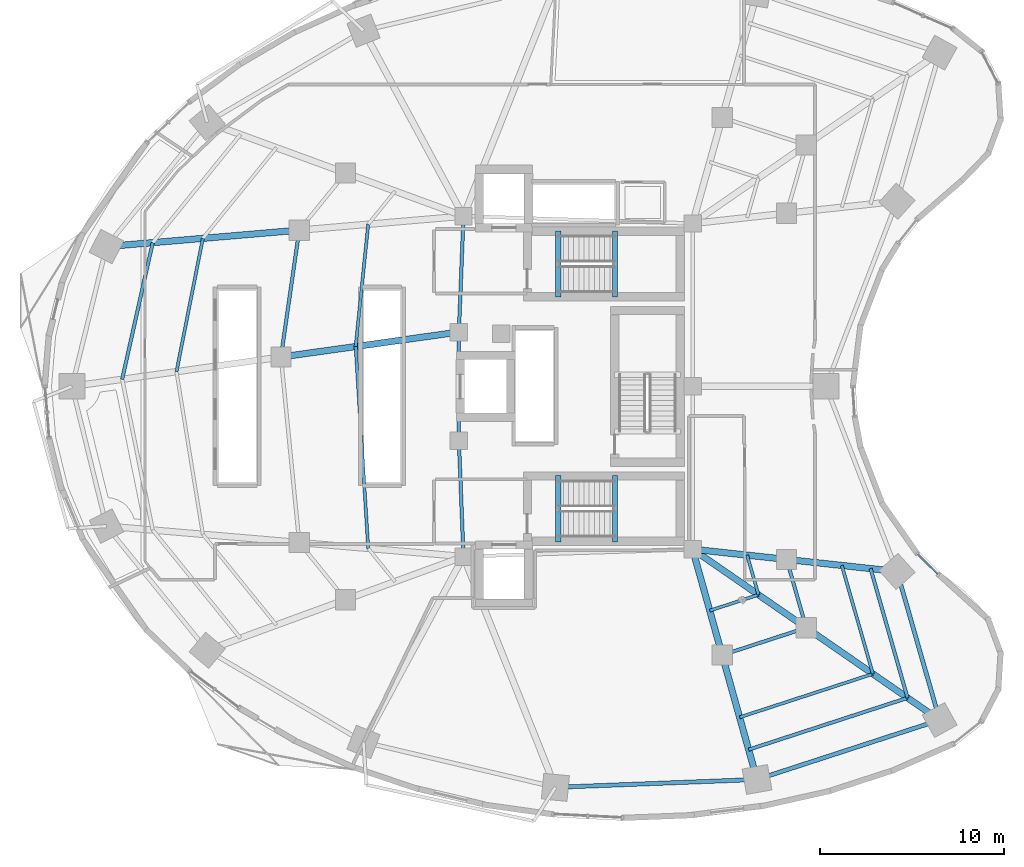
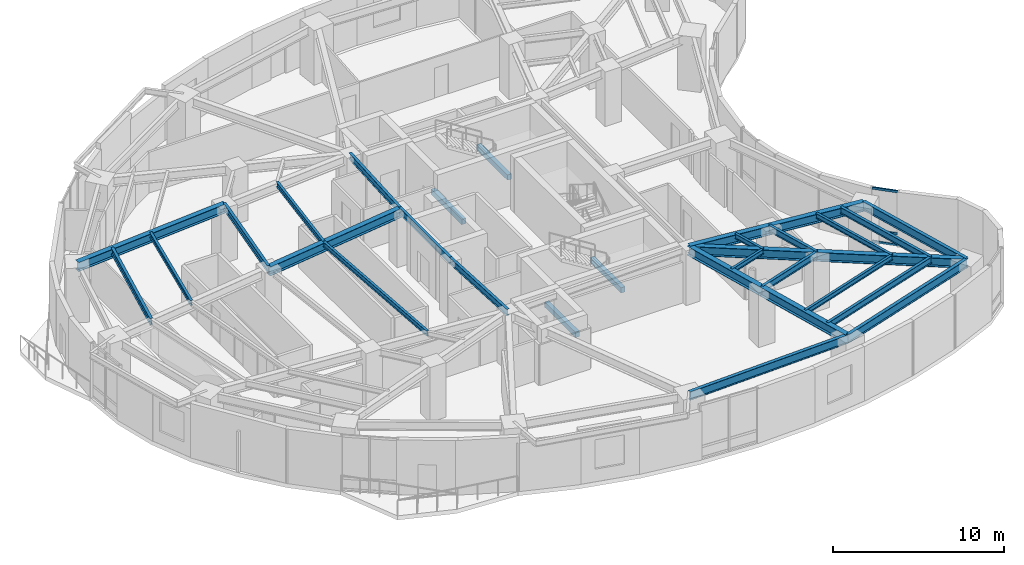
# One storey, part 3 of 13: 31 beams, 3 members, 1 element without a shape of its own.
"""IFC4 building model written with IfcOpenShell, lengths in metres."""

from ifc_helpers import new_model, si_unit, direction, frame, origin, origin_2d, place, context, subcontext, project, spatial, rectangle, i_section, extrude, material, layer, layer_set, material_profile, profile_set, type_object, element, aggregate, save


model = new_model("IFC4")

# Units and contexts
model_context = context("Model", 3, precision=1e-05, world=origin(), true_north=direction((0.0, 1.0)))
body_context = subcontext(model_context, "Body", "Model", "MODEL_VIEW")
ifc_project = project(units=[si_unit("LENGTHUNIT", "METRE"), si_unit("AREAUNIT", "SQUARE_METRE"), si_unit("VOLUMEUNIT", "CUBIC_METRE"), si_unit("PLANEANGLEUNIT", "RADIAN"), si_unit("MASSUNIT", "GRAM", prefix="KILO")], contexts=[model_context])

# Site, building, storey
site_placement = place(None, origin())
site = spatial("IfcSite", under=ifc_project, at=site_placement, CompositionType="ELEMENT")
building_placement = place(site_placement, origin())
building = spatial("IfcBuilding", under=site, at=building_placement, Name="Korentha Bioscience Tower", CompositionType="ELEMENT")
storey_placement = place(building_placement, frame((0.0, 0.0, 67.800048828125)))
storey = spatial("IfcBuildingStorey", under=building, at=storey_placement, Name="L15", CompositionType="ELEMENT", Elevation=67.800048828125)

# Beams
ifc_material_1 = material(Name="Concrete C50", Category="concrete")
ifc_material_profile_1 = material_profile(ifc_material_1, rectangle(XDim=0.280029296875, YDim=0.3798828125, at=origin_2d()), Name="Concrete C50")
ifc_profile_set_1 = profile_set([ifc_material_profile_1], Name="Concrete C50 (ST-HB380)")
beam_type_1 = type_object("IfcBeamType", Name="Concrete Stair Header Beam RC 280x380", PredefinedType="BEAM", material=ifc_profile_set_1)
for number, where, z_axis, x_axis, name in (
    (1, (30.25, 31.85009765625, -0.18994140625), (0.0, 1.0, 0.0), (-1.0, 0.0, 0.0), "L15 ST-1 Concrete Stair Header Beam"),
    (2, (33.330078125, 31.85009765625, 1.909912109375), (0.0, 1.0, 0.0), (-1.0, 0.0, 0.0), "L15 ST-1 Half-Landing Header Beam 1"),
    (3, (30.25, 18.550048828125, -0.18994140625), (0.0, 1.0, 0.0), (-1.0, 0.0, 0.0), "L15 ST-2 Concrete Stair Header Beam"),
    (4, (33.330078125, 18.550048828125, 1.909912109375), (0.0, 1.0, 0.0), (-1.0, 0.0, 0.0), "L15 ST-2 Half-Landing Header Beam 1"),
):
    element("IfcBeam", number, at=place(storey_placement, frame(where, z_axis=z_axis, x_axis=x_axis)), inside=storey, type_object=beam_type_1, Name=name, PredefinedType="BEAM", context=body_context, shape_type="SweptSolid", body=[
        extrude(rectangle(XDim=0.280029296875, YDim=0.3798828125, at=origin_2d()), origin(), (0.0, 0.0, 1.0), 3.599853515625),
    ])
ifc_material_2 = material(Name="Steel S355", Category="steel")
ifc_material_profile_2 = material_profile(ifc_material_2, i_section(OverallWidth=0.18994140625, OverallDepth=0.45703125, WebThickness=0.009033203125, FlangeThickness=0.014404296875, at=origin_2d()), Name="Steel S355")
ifc_profile_set_2 = profile_set([ifc_material_profile_2], Name="Steel S355 (MB-460)")
beam_type_2 = type_object("IfcBeamType", Name="Mid-Ring Tie Girder W460x74", PredefinedType="BEAM", material=ifc_profile_set_2)
beam_1_placement = place(storey_placement, frame((16.174072265625, 35.489013671875, 3.67138671875), z_axis=(-0.14286846228, -0.989741684727, 0.0), x_axis=(0.989741684727, -0.14286846228, 0.0)))
element("IfcBeam", 5, at=beam_1_placement, inside=storey, type_object=beam_type_2, Name="L15 Mid-Ring Tie Girder 06", PredefinedType="BEAM", context=body_context, shape_type="SweptSolid", body=[
    extrude(i_section(OverallWidth=0.18994140625, OverallDepth=0.45703125, WebThickness=0.009033203125, FlangeThickness=0.014404296875, at=origin_2d()), origin(), (0.0, 0.0, 1.0), 6.967041015625),
])
beam_2_placement = place(storey_placement, frame((39.1611328125, 12.392333984375, 3.67138671875), z_axis=(0.950877001105, 0.309568940253, 0.0), x_axis=(-0.309568940253, 0.950877001105, 0.0)))
element("IfcBeam", 6, at=beam_2_placement, inside=storey, type_object=beam_type_2, Name="L15 Mid-Ring Tie Girder 12", PredefinedType="BEAM", context=body_context, shape_type="SweptSolid", body=[
    extrude(i_section(OverallWidth=0.18994140625, OverallDepth=0.45703125, WebThickness=0.009033203125, FlangeThickness=0.014404296875, at=origin_2d()), origin(), (0.0, 0.0, 1.0), 4.80126953125),
])
beam_3_placement = place(storey_placement, frame((43.7265625, 13.878662109375, 3.67138671875), z_axis=(-0.27560557792, 0.961270807535, 0.0), x_axis=(-0.961270807535, -0.27560557792, 0.0)))
element("IfcBeam", 7, at=beam_3_placement, inside=storey, type_object=beam_type_2, Name="L15 Mid-Ring Tie Girder 13", PredefinedType="BEAM", context=body_context, shape_type="SweptSolid", body=[
    extrude(i_section(OverallWidth=0.18994140625, OverallDepth=0.45703125, WebThickness=0.009033203125, FlangeThickness=0.014404296875, at=origin_2d()), origin(), (0.0, 0.0, 1.0), 3.864013671875),
])
beam_4_placement = place(storey_placement, frame((25.10009765625, 36.25, 3.67138671875), z_axis=(-0.039651025576, -0.999213588864, 0.0), x_axis=(0.999213588864, -0.039651025576, 0.0)))
element("IfcBeam", 8, at=beam_4_placement, inside=storey, type_object=beam_type_2, Name="L15 Core Ring Tie Girder 02", PredefinedType="BEAM", context=body_context, shape_type="SweptSolid", body=[
    extrude(i_section(OverallWidth=0.18994140625, OverallDepth=0.45703125, WebThickness=0.009033203125, FlangeThickness=0.014404296875, at=origin_2d()), origin(), (0.0, 0.0, 1.0), 6.304931640625),
])
beam_5_placement = place(storey_placement, frame((24.85009765625, 29.949951171875, 3.67138671875), z_axis=(0.0, -1.0, 0.0), x_axis=(1.0, 0.0, 0.0)))
element("IfcBeam", 9, at=beam_5_placement, inside=storey, type_object=beam_type_2, Name="L15 Core Ring Tie Girder 03", PredefinedType="BEAM", context=body_context, shape_type="SweptSolid", body=[
    extrude(i_section(OverallWidth=0.18994140625, OverallDepth=0.45703125, WebThickness=0.009033203125, FlangeThickness=0.014404296875, at=origin_2d()), origin(), (0.0, 0.0, 1.0), 5.89990234375),
])
beam_6_placement = place(storey_placement, frame((24.85009765625, 24.050048828125, 3.67138671875), z_axis=(0.039651025576, -0.999213588864, 0.0), x_axis=(0.999213588864, 0.039651025576, 0.0)))
element("IfcBeam", 10, at=beam_6_placement, inside=storey, type_object=beam_type_2, Name="L15 Core Ring Tie Girder 04", PredefinedType="BEAM", context=body_context, shape_type="SweptSolid", body=[
    extrude(i_section(OverallWidth=0.18994140625, OverallDepth=0.45703125, WebThickness=0.009033203125, FlangeThickness=0.014404296875, at=origin_2d()), origin(), (0.0, 0.0, 1.0), 6.304931640625),
])
ifc_material_profile_3 = material_profile(ifc_material_2, i_section(OverallWidth=0.22802734375, OverallDepth=0.60791015625, WebThickness=0.01123046875, FlangeThickness=0.017333984375, at=origin_2d()), Name="Steel S355")
ifc_profile_set_3 = profile_set([ifc_material_profile_3], Name="Steel S355 (SB-610)")
beam_type_3 = type_object("IfcBeamType", Name="Perimeter Ring Spandrel Girder W610x113", PredefinedType="SPANDREL", material=ifc_profile_set_3)
beam_7_placement = place(storey_placement, frame((30.09423828125, 5.20751953125, 3.595947265625), z_axis=(0.999246003889, 0.03882555488, 0.0), x_axis=(-0.03882555488, 0.999246003889, 0.0)))
element("IfcBeam", 11, at=beam_7_placement, inside=storey, type_object=beam_type_3, Name="L15 Perimeter Spandrel Girder 11", PredefinedType="SPANDREL", context=body_context, shape_type="SweptSolid", body=[
    extrude(i_section(OverallWidth=0.22802734375, OverallDepth=0.60791015625, WebThickness=0.01123046875, FlangeThickness=0.017333984375, at=origin_2d()), origin(), (0.0, 0.0, 1.0), 10.966552734375),
])
beam_8_placement = place(storey_placement, frame((41.052490234375, 5.63330078125, 3.595947265625), z_axis=(0.95087511444, 0.309574735305, 0.0), x_axis=(-0.309574735305, 0.95087511444, 0.0)))
element("IfcBeam", 12, at=beam_8_placement, inside=storey, type_object=beam_type_3, Name="L15 Perimeter Spandrel Girder 12", PredefinedType="SPANDREL", context=body_context, shape_type="SweptSolid", body=[
    extrude(i_section(OverallWidth=0.22802734375, OverallDepth=0.60791015625, WebThickness=0.01123046875, FlangeThickness=0.017333984375, at=origin_2d()), origin(), (0.0, 0.0, 1.0), 10.4375),
])
beam_9_placement = place(storey_placement, frame((50.977294921875, 8.864501953125, 3.595947265625), z_axis=(-0.275642273411, 0.961260285827, 0.0), x_axis=(-0.961260285827, -0.275642273411, 0.0)))
element("IfcBeam", 13, at=beam_9_placement, inside=storey, type_object=beam_type_3, Name="L15 Perimeter Spandrel Girder 13", PredefinedType="SPANDREL", context=body_context, shape_type="SweptSolid", body=[
    extrude(i_section(OverallWidth=0.22802734375, OverallDepth=0.60791015625, WebThickness=0.01123046875, FlangeThickness=0.017333984375, at=origin_2d()), origin(), (0.0, 0.0, 1.0), 8.400146484375),
])
ifc_material_profile_4 = material_profile(ifc_material_2, i_section(OverallWidth=0.18994140625, OverallDepth=0.45703125, WebThickness=0.009033203125, FlangeThickness=0.014404296875, at=origin_2d()), Name="Steel S355")
ifc_profile_set_4 = profile_set([ifc_material_profile_4], Name="Steel S355 (RB-460)")
beam_type_4 = type_object("IfcBeamType", Name="Radial Laboratory Beam W460x74", PredefinedType="BEAM", material=ifc_profile_set_4)
beam_10_placement = place(storey_placement, frame((8.21044921875, 34.81005859375, 3.67138671875), z_axis=(-0.218146323162, -0.975916073077, 0.0), x_axis=(0.975916073077, -0.218146323162, 0.0)))
element("IfcBeam", 14, at=beam_10_placement, inside=storey, type_object=beam_type_4, Name="L15 Secondary Floor Beam JSTO-06", PredefinedType="BEAM", context=body_context, shape_type="SweptSolid", body=[
    extrude(i_section(OverallWidth=0.18994140625, OverallDepth=0.45703125, WebThickness=0.009033203125, FlangeThickness=0.014404296875, at=origin_2d()), origin(), (0.0, 0.0, 1.0), 7.6103515625),
])
beam_11_placement = place(storey_placement, frame((40.5986328125, 7.255615234375, 3.67138671875), z_axis=(0.95087437499, 0.309577006554, 0.0), x_axis=(-0.309577006554, 0.95087437499, 0.0)))
element("IfcBeam", 15, at=beam_11_placement, inside=storey, type_object=beam_type_4, Name="L15 Secondary Floor Beam JSTO-12", PredefinedType="BEAM", context=body_context, shape_type="SweptSolid", body=[
    extrude(i_section(OverallWidth=0.18994140625, OverallDepth=0.45703125, WebThickness=0.009033203125, FlangeThickness=0.014404296875, at=origin_2d()), origin(), (0.0, 0.0, 1.0), 9.0849609375),
])
beam_12_placement = place(storey_placement, frame((49.2373046875, 10.068115234375, 3.67138671875), z_axis=(-0.275682421415, 0.961248772443, 0.0), x_axis=(-0.961248772443, -0.275682421415, 0.0)))
element("IfcBeam", 16, at=beam_12_placement, inside=storey, type_object=beam_type_4, Name="L15 Secondary Floor Beam JSTO-13", PredefinedType="BEAM", context=body_context, shape_type="SweptSolid", body=[
    extrude(i_section(OverallWidth=0.18994140625, OverallDepth=0.45703125, WebThickness=0.009033203125, FlangeThickness=0.014404296875, at=origin_2d()), origin(), (0.0, 0.0, 1.0), 7.3115234375),
])
ifc_material_profile_5 = material_profile(ifc_material_2, i_section(OverallWidth=0.35009765625, OverallDepth=0.64990234375, WebThickness=0.01611328125, FlangeThickness=0.02490234375, at=origin_2d()), Name="Steel S355")
ifc_profile_set_5 = profile_set([ifc_material_profile_5], Name="Steel S355 (RB-650)")
beam_type_5 = type_object("IfcBeamType", Name="Radial Laboratory Girder CVS 650x208", PredefinedType="BEAM", material=ifc_profile_set_5)
beam_13_placement = place(storey_placement, frame((16.174072265625, 35.489013671875, 3.574951171875), z_axis=(-0.996385601055, -0.084945476695, 0.0), x_axis=(0.084945476695, -0.996385601055, 0.0)))
element("IfcBeam", 17, at=beam_13_placement, inside=storey, type_object=beam_type_5, Name="L15 Outer Radial Girder 06", PredefinedType="BEAM", context=body_context, shape_type="SweptSolid", body=[
    extrude(i_section(OverallWidth=0.35009765625, OverallDepth=0.64990234375, WebThickness=0.01611328125, FlangeThickness=0.02490234375, at=origin_2d()), origin(), (0.0, 0.0, 1.0), 10.516357421875),
])
beam_14_placement = place(storey_placement, frame((24.85009765625, 29.949951171875, 3.574951171875), z_axis=(-0.990307253072, -0.138894004596, 0.0), x_axis=(0.138894004596, -0.990307253072, 0.0)))
element("IfcBeam", 18, at=beam_14_placement, inside=storey, type_object=beam_type_5, Name="L15 Inner Radial Girder 07", PredefinedType="BEAM", context=body_context, shape_type="SweptSolid", body=[
    extrude(i_section(OverallWidth=0.35009765625, OverallDepth=0.64990234375, WebThickness=0.01611328125, FlangeThickness=0.02490234375, at=origin_2d()), origin(), (0.0, 0.0, 1.0), 9.76611328125),
])
beam_15_placement = place(storey_placement, frame((37.550048828125, 18.14990234375, 3.574951171875), z_axis=(0.269469369205, -0.963008961049, 0.0), x_axis=(0.963008961049, 0.269469369205, 0.0)))
element("IfcBeam", 19, at=beam_15_placement, inside=storey, type_object=beam_type_5, Name="L15 Inner Radial Girder 12", PredefinedType="BEAM", context=body_context, shape_type="SweptSolid", body=[
    extrude(i_section(OverallWidth=0.35009765625, OverallDepth=0.64990234375, WebThickness=0.01611328125, FlangeThickness=0.02490234375, at=origin_2d()), origin(), (0.0, 0.0, 1.0), 5.978759765625),
])
beam_16_placement = place(storey_placement, frame((39.1611328125, 12.392333984375, 3.574951171875), z_axis=(0.269475095129, -0.963007358801, 0.0), x_axis=(0.963007358801, 0.269475095129, 0.0)))
element("IfcBeam", 20, at=beam_16_placement, inside=storey, type_object=beam_type_5, Name="L15 Outer Radial Girder 12", PredefinedType="BEAM", context=body_context, shape_type="SweptSolid", body=[
    extrude(i_section(OverallWidth=0.35009765625, OverallDepth=0.64990234375, WebThickness=0.01611328125, FlangeThickness=0.02490234375, at=origin_2d()), origin(), (0.0, 0.0, 1.0), 7.0185546875),
])
beam_17_placement = place(storey_placement, frame((37.550048828125, 18.14990234375, 3.574951171875), z_axis=(0.822491697625, -0.568777115694, 0.0), x_axis=(0.568777115694, 0.822491697625, 0.0)))
element("IfcBeam", 21, at=beam_17_placement, inside=storey, type_object=beam_type_5, Name="L15 Inner Radial Girder 13", PredefinedType="BEAM", context=body_context, shape_type="SweptSolid", body=[
    extrude(i_section(OverallWidth=0.35009765625, OverallDepth=0.64990234375, WebThickness=0.01611328125, FlangeThickness=0.02490234375, at=origin_2d()), origin(), (0.0, 0.0, 1.0), 7.509521484375),
])
beam_18_placement = place(storey_placement, frame((43.7265625, 13.878662109375, 3.574951171875), z_axis=(0.822488186113, -0.568782193555, 0.0), x_axis=(0.568782193555, 0.822488186113, 0.0)))
element("IfcBeam", 22, at=beam_18_placement, inside=storey, type_object=beam_type_5, Name="L15 Outer Radial Girder 13", PredefinedType="BEAM", context=body_context, shape_type="SweptSolid", body=[
    extrude(i_section(OverallWidth=0.35009765625, OverallDepth=0.64990234375, WebThickness=0.01611328125, FlangeThickness=0.02490234375, at=origin_2d()), origin(), (0.0, 0.0, 1.0), 8.815673828125),
])
beam_19_placement = place(storey_placement, frame((37.550048828125, 18.14990234375, 3.574951171875), z_axis=(0.994117709144, -0.10830503389, 0.0), x_axis=(0.10830503389, 0.994117709144, 0.0)))
element("IfcBeam", 23, at=beam_19_placement, inside=storey, type_object=beam_type_5, Name="L15 Inner Radial Girder 14", PredefinedType="BEAM", context=body_context, shape_type="SweptSolid", body=[
    extrude(i_section(OverallWidth=0.35009765625, OverallDepth=0.64990234375, WebThickness=0.01611328125, FlangeThickness=0.02490234375, at=origin_2d()), origin(), (0.0, 0.0, 1.0), 5.141845703125),
])
beam_20_placement = place(storey_placement, frame((42.66162109375, 17.593017578125, 3.574951171875), z_axis=(0.994115805925, -0.108322501862, 0.0), x_axis=(0.108322501862, 0.994115805925, 0.0)))
element("IfcBeam", 24, at=beam_20_placement, inside=storey, type_object=beam_type_5, Name="L15 Outer Radial Girder 14", PredefinedType="BEAM", context=body_context, shape_type="SweptSolid", body=[
    extrude(i_section(OverallWidth=0.35009765625, OverallDepth=0.64990234375, WebThickness=0.01611328125, FlangeThickness=0.02490234375, at=origin_2d()), origin(), (0.0, 0.0, 1.0), 6.03564453125),
])
ifc_material_profile_6 = material_profile(ifc_material_2, i_section(OverallWidth=0.1708984375, OverallDepth=0.35498046875, WebThickness=0.007080078125, FlangeThickness=0.01171875, at=origin_2d()), Name="Steel S355")
ifc_profile_set_6 = profile_set([ifc_material_profile_6], Name="Steel S355 (JB-360)")
beam_type_6 = type_object("IfcBeamType", Name="Secondary Laboratory Joist W360x51", PredefinedType="JOIST", material=ifc_profile_set_6)
beam_21_placement = place(storey_placement, frame((10.934814453125, 35.042236328125, 3.722412109375), z_axis=(-0.193979665978, -0.981005550029, 0.0), x_axis=(0.981005550029, -0.193979665978, 0.0)))
element("IfcBeam", 25, at=beam_21_placement, inside=storey, type_object=beam_type_6, Name="L15 Secondary Floor Beam JST-06", PredefinedType="JOIST", context=body_context, shape_type="SweptSolid", body=[
    extrude(i_section(OverallWidth=0.1708984375, OverallDepth=0.35498046875, WebThickness=0.007080078125, FlangeThickness=0.01171875, at=origin_2d()), origin(), (0.0, 0.0, 1.0), 7.385498046875),
])
beam_22_placement = place(storey_placement, frame((19.9228515625, 35.80859375, 3.722412109375), z_axis=(-0.102144778597, -0.994769543264, 0.0), x_axis=(0.994769543264, -0.102144778597, 0.0)))
element("IfcBeam", 26, at=beam_22_placement, inside=storey, type_object=beam_type_6, Name="L15 Inner Bay Joist 06", PredefinedType="JOIST", context=body_context, shape_type="SweptSolid", body=[
    extrude(i_section(OverallWidth=0.1708984375, OverallDepth=0.35498046875, WebThickness=0.007080078125, FlangeThickness=0.01171875, at=origin_2d()), origin(), (0.0, 0.0, 1.0), 6.680419921875),
])
beam_23_placement = place(storey_placement, frame((19.240478515625, 29.1630859375, 3.722412109375), z_axis=(0.062074098012, -0.998071543706, 0.0), x_axis=(0.998071543706, 0.062074098012, 0.0)))
element("IfcBeam", 27, at=beam_23_placement, inside=storey, type_object=beam_type_6, Name="L15 Inner Bay Joist 07", PredefinedType="JOIST", context=body_context, shape_type="SweptSolid", body=[
    extrude(i_section(OverallWidth=0.1708984375, OverallDepth=0.35498046875, WebThickness=0.007080078125, FlangeThickness=0.01171875, at=origin_2d()), origin(), (0.0, 0.0, 1.0), 10.992919921875),
])
beam_24_placement = place(storey_placement, frame((40.10693359375, 9.0126953125, 3.722412109375), z_axis=(0.950870992772, 0.309587394938, 0.0), x_axis=(-0.309587394938, 0.950870992772, 0.0)))
element("IfcBeam", 28, at=beam_24_placement, inside=storey, type_object=beam_type_6, Name="L15 Secondary Floor Beam JST-12", PredefinedType="JOIST", context=body_context, shape_type="SweptSolid", body=[
    extrude(i_section(OverallWidth=0.1708984375, OverallDepth=0.35498046875, WebThickness=0.007080078125, FlangeThickness=0.01171875, at=origin_2d()), origin(), (0.0, 0.0, 1.0), 7.619384765625),
])
beam_25_placement = place(storey_placement, frame((38.484619140625, 14.810546875, 3.722412109375), z_axis=(0.950869630746, 0.309591578254, 0.0), x_axis=(-0.309591578254, 0.950869630746, 0.0)))
element("IfcBeam", 29, at=beam_25_placement, inside=storey, type_object=beam_type_6, Name="L15 Inner Bay Joist 12", PredefinedType="JOIST", context=body_context, shape_type="SweptSolid", body=[
    extrude(i_section(OverallWidth=0.1708984375, OverallDepth=0.35498046875, WebThickness=0.007080078125, FlangeThickness=0.01171875, at=origin_2d()), origin(), (0.0, 0.0, 1.0), 2.784423828125),
])
beam_26_placement = place(storey_placement, frame((47.35205078125, 11.37158203125, 3.722412109375), z_axis=(-0.275667500387, 0.96125305161, 0.0), x_axis=(-0.96125305161, -0.275667500387, 0.0)))
element("IfcBeam", 30, at=beam_26_placement, inside=storey, type_object=beam_type_6, Name="L15 Secondary Floor Beam JST-13", PredefinedType="JOIST", context=body_context, shape_type="SweptSolid", body=[
    extrude(i_section(OverallWidth=0.1708984375, OverallDepth=0.35498046875, WebThickness=0.007080078125, FlangeThickness=0.01171875, at=origin_2d()), origin(), (0.0, 0.0, 1.0), 6.132080078125),
])
beam_27_placement = place(storey_placement, frame((41.13232421875, 15.672607421875, 3.722412109375), z_axis=(-0.275613067773, 0.961268660091, 0.0), x_axis=(-0.961268660091, -0.275613067773, 0.0)))
element("IfcBeam", 31, at=beam_27_placement, inside=storey, type_object=beam_type_6, Name="L15 Inner Bay Joist 13", PredefinedType="JOIST", context=body_context, shape_type="SweptSolid", body=[
    extrude(i_section(OverallWidth=0.1708984375, OverallDepth=0.35498046875, WebThickness=0.007080078125, FlangeThickness=0.01171875, at=origin_2d()), origin(), (0.0, 0.0, 1.0), 2.2412109375),
])

# Curtain wall, members
ifc_material_3 = material(Name="Thermally Broken Aluminium Frame", Category="aluminium")
ifc_layer = layer(ifc_material_3, 0.219970703125, Name="Thermally Broken Aluminium Frame")
ifc_layer_set = layer_set([ifc_layer], Name="Thermally Broken Aluminium Frame (CW-T1)")
curtain_wall_type = type_object("IfcCurtainWallType", Name="Standard Bioscience Lab Unitised Curtain Wall CW-T1", PredefinedType="USERDEFINED", material=ifc_layer_set)
curtain_wall_placement = place(storey_placement, origin())
curtain_wall = element("IfcCurtainWall", 32, at=curtain_wall_placement, inside=storey, type_object=curtain_wall_type, Name="L15 Curtain Wall 43", ObjectType="UNITISED", PredefinedType="USERDEFINED")
ifc_material_4 = material(Name="Anodised Aluminium 6063-T6", Category="aluminium")
ifc_material_profile_7 = material_profile(ifc_material_4, rectangle(XDim=0.090087890625, YDim=0.159912109375, at=origin_2d()), Name="Anodised Aluminium 6063-T6")
ifc_profile_set_7 = profile_set([ifc_material_profile_7], Name="Anodised Aluminium 6063-T6 (CW-TRN)")
member_type = type_object("IfcMemberType", Name="Transom RECT 90x160", PredefinedType="USERDEFINED", material=ifc_profile_set_7)
member_1_placement = place(storey_placement, frame((50.8818359375, 16.796875, 0.044921875), z_axis=(-0.713350356322, 0.700807583531, 0.0), x_axis=(-0.700807583531, -0.713350356322, 0.0)))
member_1 = element("IfcMember", 33, at=member_1_placement, type_object=member_type, Name="CW-L15-43 Bay 1 Transom 1", ObjectType="TRANSOM", PredefinedType="USERDEFINED", context=body_context, shape_type="SweptSolid", body=[
    extrude(rectangle(XDim=0.090087890625, YDim=0.159912109375, at=origin_2d()), origin(), (0.0, 0.0, 1.0), 1.53759765625),
])
member_2_placement = place(storey_placement, frame((50.8818359375, 16.796875, 0.849853515625), z_axis=(-0.713350356322, 0.700807583531, 0.0), x_axis=(-0.700807583531, -0.713350356322, 0.0)))
member_2 = element("IfcMember", 34, at=member_2_placement, type_object=member_type, Name="CW-L15-43 Bay 1 Transom 2", ObjectType="TRANSOM", PredefinedType="USERDEFINED", context=body_context, shape_type="SweptSolid", body=[
    extrude(rectangle(XDim=0.090087890625, YDim=0.159912109375, at=origin_2d()), origin(), (0.0, 0.0, 1.0), 1.53759765625),
])
member_3_placement = place(storey_placement, frame((50.8818359375, 16.796875, 3.85498046875), z_axis=(-0.713350356322, 0.700807583531, 0.0), x_axis=(-0.700807583531, -0.713350356322, 0.0)))
member_3 = element("IfcMember", 35, at=member_3_placement, type_object=member_type, Name="CW-L15-43 Bay 1 Transom 3", ObjectType="TRANSOM", PredefinedType="USERDEFINED", context=body_context, shape_type="SweptSolid", body=[
    extrude(rectangle(XDim=0.090087890625, YDim=0.159912109375, at=origin_2d()), origin(), (0.0, 0.0, 1.0), 1.53759765625),
])
aggregate(curtain_wall, [member_1, member_2, member_3])

save(model, "model.ifc")
